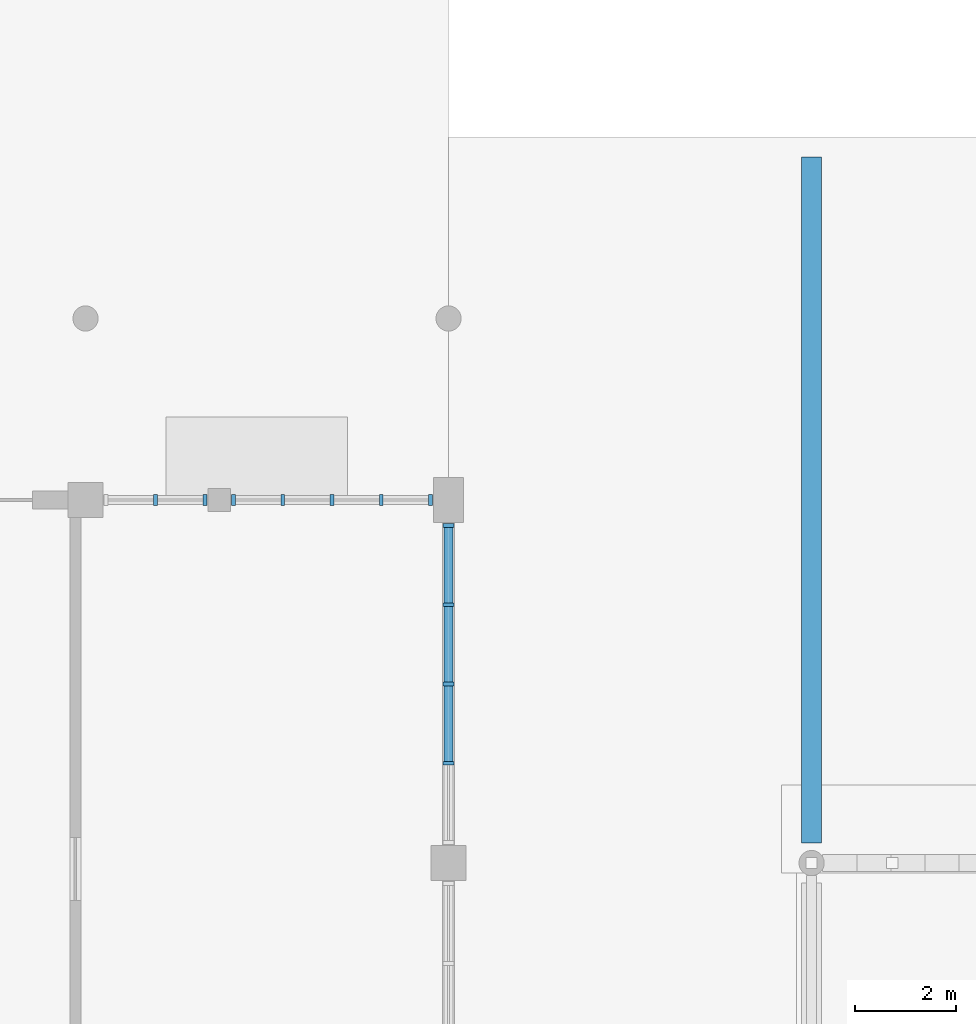
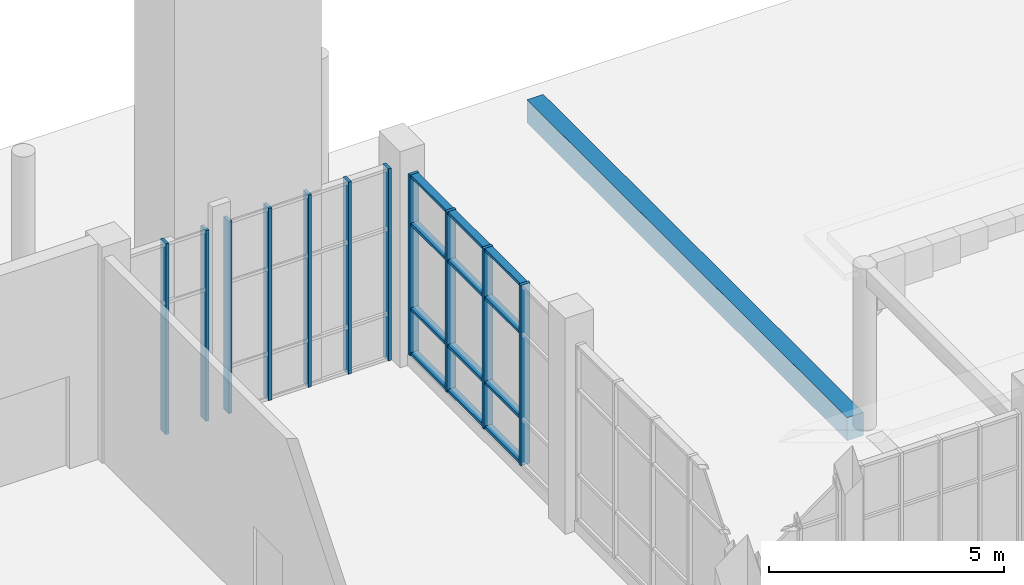
# One storey, part 27 of 85: 23 members, 1 beam, 3 elements without a shape of their own.
"""IFC4 building model written with IfcOpenShell, lengths in metres."""

from ifc_helpers import new_model, si_unit, direction, frame, origin, origin_2d, place, context, subcontext, project, spatial, rectangle, extrude, material, material_profile, profile_set, type_object, element, aggregate, save


model = new_model("IFC4")

# Units and contexts
model_context = context("Model", 3, precision=1e-05, world=origin(), true_north=direction((0.0, 1.0)))
body_context = subcontext(model_context, "Body", "Model", "MODEL_VIEW")
ifc_project = project(units=[si_unit("LENGTHUNIT", "METRE"), si_unit("AREAUNIT", "SQUARE_METRE"), si_unit("VOLUMEUNIT", "CUBIC_METRE"), si_unit("PLANEANGLEUNIT", "RADIAN"), si_unit("MASSUNIT", "GRAM", prefix="KILO")], contexts=[model_context])

# Site, building, storey
site_placement = place(None, origin())
site = spatial("IfcSite", under=ifc_project, at=site_placement, CompositionType="ELEMENT")
building_placement = place(site_placement, origin())
building = spatial("IfcBuilding", under=site, at=building_placement, Name="Sardonyx Promenade Sports Hall", CompositionType="ELEMENT")
storey_placement = place(building_placement, origin())
storey = spatial("IfcBuildingStorey", under=building, at=storey_placement, Name="L00", CompositionType="ELEMENT", Elevation=0.0)

# Beam
ifc_material_1 = material(Name="Concrete C40/50", Category="concrete")
ifc_material_profile_1 = material_profile(ifc_material_1, rectangle(XDim=0.39990234375, YDim=0.60009765625, at=origin_2d()))
ifc_profile_set_1 = profile_set([ifc_material_profile_1], Name="Concrete C40/50")
beam_type = type_object("IfcBeamType", Name="Bm_Spandrel_RC600", PredefinedType="SPANDREL", material=ifc_profile_set_1)
beam_placement = place(storey_placement, frame((115.199951171875, 94.0, -0.300048828125), z_axis=(0.0, 1.0, 0.0), x_axis=(-1.0, 0.0, 0.0)))
element("IfcBeam", 1, at=beam_placement, inside=storey, type_object=beam_type, Name="Beam SPB1 L00 #161", PredefinedType="SPANDREL", context=body_context, shape_type="SweptSolid", body=[
    extrude(rectangle(XDim=0.39990234375, YDim=0.60009765625, at=origin_2d()), origin(), (0.0, 0.0, 1.0), 13.60009765625),
])

# Curtain wall, members
ifc_material_2 = material(Name="Aluminium 6063-T6", Category="aluminium")
curtain_wall_type_1 = type_object("IfcCurtainWallType", Name="CW_Foyer_Pilaster_L00", PredefinedType="USERDEFINED", material=ifc_material_2)
curtain_wall_1_placement = place(storey_placement, origin())
curtain_wall_1 = element("IfcCurtainWall", 2, at=curtain_wall_1_placement, inside=storey, type_object=curtain_wall_type_1, Name="Curtain wall CW20 cw:L00:087", ObjectType="CURTAIN WALL", PredefinedType="USERDEFINED")
ifc_material_3 = material(Name="Aluminium 6063-T6", Category="aluminium")
ifc_material_profile_2 = material_profile(ifc_material_3, rectangle(XDim=0.074951171875, YDim=0.22509765625, at=origin_2d()))
ifc_profile_set_2 = profile_set([ifc_material_profile_2], Name="Aluminium 6063-T6")
member_type_1 = type_object("IfcMemberType", Name="CW_Mull_225", PredefinedType="MULLION", material=ifc_profile_set_2)
member_1_placement = place(storey_placement, frame((102.1875, 100.800048828125, 0.0), z_axis=(0.0, 0.0, 1.0), x_axis=(1.0, 0.0, 0.0)))
member_1 = element("IfcMember", 3, at=member_1_placement, type_object=member_type_1, Name="Mullion CM04 cw:L00:087 #2", PredefinedType="MULLION", context=body_context, shape_type="SweptSolid", body=[
    extrude(rectangle(XDim=0.074951171875, YDim=0.22509765625, at=origin_2d()), origin(), (0.0, 0.0, 1.0), 4.949951171875),
])
member_2_placement = place(storey_placement, frame((103.16748046875, 100.800048828125, 0.0), z_axis=(0.0, 0.0, 1.0), x_axis=(1.0, 0.0, 0.0)))
member_2 = element("IfcMember", 4, at=member_2_placement, type_object=member_type_1, Name="Mullion CM04 cw:L00:087 #3", PredefinedType="MULLION", context=body_context, shape_type="SweptSolid", body=[
    extrude(rectangle(XDim=0.074951171875, YDim=0.22509765625, at=origin_2d()), origin(), (0.0, 0.0, 1.0), 4.949951171875),
])
aggregate(curtain_wall_1, [member_1, member_2])

ifc_material_4 = material(Name="Aluminium 6063-T6", Category="aluminium")
curtain_wall_type_2 = type_object("IfcCurtainWallType", Name="CW_Foyer_L00_Tall", PredefinedType="USERDEFINED", material=ifc_material_4)
curtain_wall_2_placement = place(storey_placement, origin())
curtain_wall_2 = element("IfcCurtainWall", 5, at=curtain_wall_2_placement, inside=storey, type_object=curtain_wall_type_2, Name="Curtain wall CW13 cw:L00:088", ObjectType="CURTAIN WALL", PredefinedType="USERDEFINED")
member_3_placement = place(storey_placement, frame((103.732421875, 100.800048828125, 0.0), z_axis=(0.0, 0.0, 1.0), x_axis=(1.0, 0.0, 0.0)))
member_3 = element("IfcMember", 6, at=member_3_placement, type_object=member_type_1, Name="Mullion CM04 cw:L00:088 #1", PredefinedType="MULLION", context=body_context, shape_type="SweptSolid", body=[
    extrude(rectangle(XDim=0.074951171875, YDim=0.22509765625, at=origin_2d()), origin(), (0.0, 0.0, 1.0), 4.985107421875),
])
member_4_placement = place(storey_placement, frame((104.7099609375, 100.800048828125, 0.0), z_axis=(0.0, 0.0, 1.0), x_axis=(1.0, 0.0, 0.0)))
member_4 = element("IfcMember", 7, at=member_4_placement, type_object=member_type_1, Name="Mullion CM04 cw:L00:088 #2", PredefinedType="MULLION", context=body_context, shape_type="SweptSolid", body=[
    extrude(rectangle(XDim=0.074951171875, YDim=0.22509765625, at=origin_2d()), origin(), (0.0, 0.0, 1.0), 4.985107421875),
])
member_5_placement = place(storey_placement, frame((105.6875, 100.800048828125, 0.0), z_axis=(0.0, 0.0, 1.0), x_axis=(1.0, 0.0, 0.0)))
member_5 = element("IfcMember", 8, at=member_5_placement, type_object=member_type_1, Name="Mullion CM04 cw:L00:088 #3", PredefinedType="MULLION", context=body_context, shape_type="SweptSolid", body=[
    extrude(rectangle(XDim=0.074951171875, YDim=0.22509765625, at=origin_2d()), origin(), (0.0, 0.0, 1.0), 4.985107421875),
])
member_6_placement = place(storey_placement, frame((106.6650390625, 100.800048828125, 0.0), z_axis=(0.0, 0.0, 1.0), x_axis=(1.0, 0.0, 0.0)))
member_6 = element("IfcMember", 9, at=member_6_placement, type_object=member_type_1, Name="Mullion CM04 cw:L00:088 #4", PredefinedType="MULLION", context=body_context, shape_type="SweptSolid", body=[
    extrude(rectangle(XDim=0.074951171875, YDim=0.22509765625, at=origin_2d()), origin(), (0.0, 0.0, 1.0), 4.985107421875),
])
member_7_placement = place(storey_placement, frame((107.642578125, 100.800048828125, 0.0), z_axis=(0.0, 0.0, 1.0), x_axis=(1.0, 0.0, 0.0)))
member_7 = element("IfcMember", 10, at=member_7_placement, type_object=member_type_1, Name="Mullion CM04 cw:L00:088 #5", PredefinedType="MULLION", context=body_context, shape_type="SweptSolid", body=[
    extrude(rectangle(XDim=0.074951171875, YDim=0.22509765625, at=origin_2d()), origin(), (0.0, 0.0, 1.0), 4.985107421875),
])
aggregate(curtain_wall_2, [member_3, member_4, member_5, member_6, member_7])

curtain_wall_3_placement = place(storey_placement, origin())
curtain_wall_3 = element("IfcCurtainWall", 11, at=curtain_wall_3_placement, inside=storey, type_object=curtain_wall_type_2, Name="Curtain wall CW13 cw:L00:093", ObjectType="CURTAIN WALL", PredefinedType="USERDEFINED")
member_8_placement = place(storey_placement, frame((108.0, 100.29248046875, 0.300048828125), z_axis=(0.0, 0.0, 1.0), x_axis=(0.0, -1.0, 0.0)))
member_8 = element("IfcMember", 12, at=member_8_placement, type_object=member_type_1, Name="Mullion CM04 cw:L00:093 #1", PredefinedType="MULLION", context=body_context, shape_type="SweptSolid", body=[
    extrude(rectangle(XDim=0.074951171875, YDim=0.22509765625, at=origin_2d()), origin(), (0.0, 0.0, 1.0), 4.68505859375),
])
member_9_placement = place(storey_placement, frame((108.0, 98.72119140625, 0.300048828125), z_axis=(0.0, 0.0, 1.0), x_axis=(0.0, -1.0, 0.0)))
member_9 = element("IfcMember", 13, at=member_9_placement, type_object=member_type_1, Name="Mullion CM04 cw:L00:093 #2", PredefinedType="MULLION", context=body_context, shape_type="SweptSolid", body=[
    extrude(rectangle(XDim=0.074951171875, YDim=0.22509765625, at=origin_2d()), origin(), (0.0, 0.0, 1.0), 4.68505859375),
])
member_10_placement = place(storey_placement, frame((108.0, 97.14990234375, 0.300048828125), z_axis=(0.0, 0.0, 1.0), x_axis=(0.0, -1.0, 0.0)))
member_10 = element("IfcMember", 14, at=member_10_placement, type_object=member_type_1, Name="Mullion CM04 cw:L00:093 #3", PredefinedType="MULLION", context=body_context, shape_type="SweptSolid", body=[
    extrude(rectangle(XDim=0.074951171875, YDim=0.22509765625, at=origin_2d()), origin(), (0.0, 0.0, 1.0), 4.68505859375),
])
member_11_placement = place(storey_placement, frame((108.0, 95.578857421875, 0.300048828125), z_axis=(0.0, 0.0, 1.0), x_axis=(0.0, -1.0, 0.0)))
member_11 = element("IfcMember", 15, at=member_11_placement, type_object=member_type_1, Name="Mullion CM04 cw:L00:093 #4", PredefinedType="MULLION", context=body_context, shape_type="SweptSolid", body=[
    extrude(rectangle(XDim=0.074951171875, YDim=0.22509765625, at=origin_2d()), origin(), (0.0, 0.0, 1.0), 4.68505859375),
])
ifc_material_5 = material(Name="Aluminium 6063-T6", Category="aluminium")
ifc_material_profile_3 = material_profile(ifc_material_5, rectangle(XDim=0.074951171875, YDim=0.179931640625, at=origin_2d()))
ifc_profile_set_3 = profile_set([ifc_material_profile_3], Name="Aluminium 6063-T6")
member_type_2 = type_object("IfcMemberType", Name="CW_Tran_180", PredefinedType="USERDEFINED", material=ifc_profile_set_3)
member_12_placement = place(storey_placement, frame((108.0, 100.2548828125, 0.33740234375), z_axis=(0.0, -1.0, 0.0), x_axis=(0.0, 0.0, 1.0)))
member_12 = element("IfcMember", 16, at=member_12_placement, type_object=member_type_2, Name="Transom CT04 cw:L00:093 #1", ObjectType="TRANSOM", PredefinedType="USERDEFINED", context=body_context, shape_type="SweptSolid", body=[
    extrude(rectangle(XDim=0.074951171875, YDim=0.179931640625, at=origin_2d()), origin(), (0.0, 0.0, 1.0), 1.49609375),
])
member_13_placement = place(storey_placement, frame((108.0, 100.2548828125, 1.5), z_axis=(0.0, -1.0, 0.0), x_axis=(0.0, 0.0, 1.0)))
member_13 = element("IfcMember", 17, at=member_13_placement, type_object=member_type_2, Name="Transom CT04 cw:L00:093 #2", ObjectType="TRANSOM", PredefinedType="USERDEFINED", context=body_context, shape_type="SweptSolid", body=[
    extrude(rectangle(XDim=0.074951171875, YDim=0.179931640625, at=origin_2d()), origin(), (0.0, 0.0, 1.0), 1.49609375),
])
member_14_placement = place(storey_placement, frame((108.0, 100.2548828125, 3.699951171875), z_axis=(0.0, -1.0, 0.0), x_axis=(0.0, 0.0, 1.0)))
member_14 = element("IfcMember", 18, at=member_14_placement, type_object=member_type_2, Name="Transom CT04 cw:L00:093 #3", ObjectType="TRANSOM", PredefinedType="USERDEFINED", context=body_context, shape_type="SweptSolid", body=[
    extrude(rectangle(XDim=0.074951171875, YDim=0.179931640625, at=origin_2d()), origin(), (0.0, 0.0, 1.0), 1.49609375),
])
member_15_placement = place(storey_placement, frame((108.0, 100.2548828125, 4.947509765625), z_axis=(0.0, -1.0, 0.0), x_axis=(0.0, 0.0, 1.0)))
member_15 = element("IfcMember", 19, at=member_15_placement, type_object=member_type_2, Name="Transom CT04 cw:L00:093 #4", ObjectType="TRANSOM", PredefinedType="USERDEFINED", context=body_context, shape_type="SweptSolid", body=[
    extrude(rectangle(XDim=0.074951171875, YDim=0.179931640625, at=origin_2d()), origin(), (0.0, 0.0, 1.0), 1.49609375),
])
member_16_placement = place(storey_placement, frame((108.0, 98.683837890625, 0.33740234375), z_axis=(0.0, -1.0, 0.0), x_axis=(0.0, 0.0, 1.0)))
member_16 = element("IfcMember", 20, at=member_16_placement, type_object=member_type_2, Name="Transom CT04 cw:L00:093 #5", ObjectType="TRANSOM", PredefinedType="USERDEFINED", context=body_context, shape_type="SweptSolid", body=[
    extrude(rectangle(XDim=0.074951171875, YDim=0.179931640625, at=origin_2d()), origin(), (0.0, 0.0, 1.0), 1.496337890625),
])
member_17_placement = place(storey_placement, frame((108.0, 98.683837890625, 1.5), z_axis=(0.0, -1.0, 0.0), x_axis=(0.0, 0.0, 1.0)))
member_17 = element("IfcMember", 21, at=member_17_placement, type_object=member_type_2, Name="Transom CT04 cw:L00:093 #6", ObjectType="TRANSOM", PredefinedType="USERDEFINED", context=body_context, shape_type="SweptSolid", body=[
    extrude(rectangle(XDim=0.074951171875, YDim=0.179931640625, at=origin_2d()), origin(), (0.0, 0.0, 1.0), 1.496337890625),
])
member_18_placement = place(storey_placement, frame((108.0, 98.683837890625, 3.699951171875), z_axis=(0.0, -1.0, 0.0), x_axis=(0.0, 0.0, 1.0)))
member_18 = element("IfcMember", 22, at=member_18_placement, type_object=member_type_2, Name="Transom CT04 cw:L00:093 #7", ObjectType="TRANSOM", PredefinedType="USERDEFINED", context=body_context, shape_type="SweptSolid", body=[
    extrude(rectangle(XDim=0.074951171875, YDim=0.179931640625, at=origin_2d()), origin(), (0.0, 0.0, 1.0), 1.496337890625),
])
member_19_placement = place(storey_placement, frame((108.0, 98.683837890625, 4.947509765625), z_axis=(0.0, -1.0, 0.0), x_axis=(0.0, 0.0, 1.0)))
member_19 = element("IfcMember", 23, at=member_19_placement, type_object=member_type_2, Name="Transom CT04 cw:L00:093 #8", ObjectType="TRANSOM", PredefinedType="USERDEFINED", context=body_context, shape_type="SweptSolid", body=[
    extrude(rectangle(XDim=0.074951171875, YDim=0.179931640625, at=origin_2d()), origin(), (0.0, 0.0, 1.0), 1.496337890625),
])
member_20_placement = place(storey_placement, frame((108.0, 97.112548828125, 0.33740234375), z_axis=(0.0, -1.0, 0.0), x_axis=(0.0, 0.0, 1.0)))
member_20 = element("IfcMember", 24, at=member_20_placement, type_object=member_type_2, Name="Transom CT04 cw:L00:093 #9", ObjectType="TRANSOM", PredefinedType="USERDEFINED", context=body_context, shape_type="SweptSolid", body=[
    extrude(rectangle(XDim=0.074951171875, YDim=0.179931640625, at=origin_2d()), origin(), (0.0, 0.0, 1.0), 1.496337890625),
])
member_21_placement = place(storey_placement, frame((108.0, 97.112548828125, 1.5), z_axis=(0.0, -1.0, 0.0), x_axis=(0.0, 0.0, 1.0)))
member_21 = element("IfcMember", 25, at=member_21_placement, type_object=member_type_2, Name="Transom CT04 cw:L00:093 #10", ObjectType="TRANSOM", PredefinedType="USERDEFINED", context=body_context, shape_type="SweptSolid", body=[
    extrude(rectangle(XDim=0.074951171875, YDim=0.179931640625, at=origin_2d()), origin(), (0.0, 0.0, 1.0), 1.496337890625),
])
member_22_placement = place(storey_placement, frame((108.0, 97.112548828125, 3.699951171875), z_axis=(0.0, -1.0, 0.0), x_axis=(0.0, 0.0, 1.0)))
member_22 = element("IfcMember", 26, at=member_22_placement, type_object=member_type_2, Name="Transom CT04 cw:L00:093 #11", ObjectType="TRANSOM", PredefinedType="USERDEFINED", context=body_context, shape_type="SweptSolid", body=[
    extrude(rectangle(XDim=0.074951171875, YDim=0.179931640625, at=origin_2d()), origin(), (0.0, 0.0, 1.0), 1.496337890625),
])
member_23_placement = place(storey_placement, frame((108.0, 97.112548828125, 4.947509765625), z_axis=(0.0, -1.0, 0.0), x_axis=(0.0, 0.0, 1.0)))
member_23 = element("IfcMember", 27, at=member_23_placement, type_object=member_type_2, Name="Transom CT04 cw:L00:093 #12", ObjectType="TRANSOM", PredefinedType="USERDEFINED", context=body_context, shape_type="SweptSolid", body=[
    extrude(rectangle(XDim=0.074951171875, YDim=0.179931640625, at=origin_2d()), origin(), (0.0, 0.0, 1.0), 1.496337890625),
])
aggregate(curtain_wall_3, [member_8, member_9, member_10, member_11, member_12, member_13, member_14, member_15, member_16, member_17, member_18, member_19, member_20, member_21, member_22, member_23])

save(model, "model.ifc")
